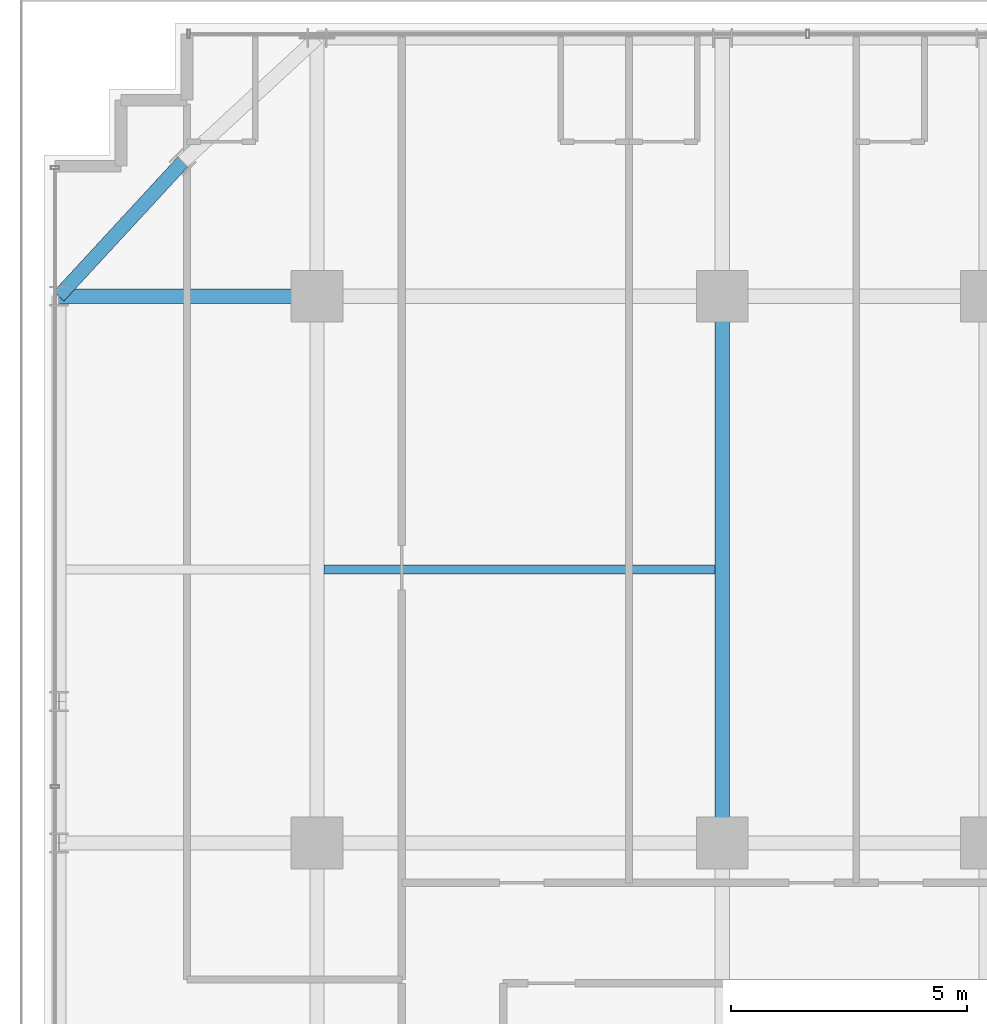
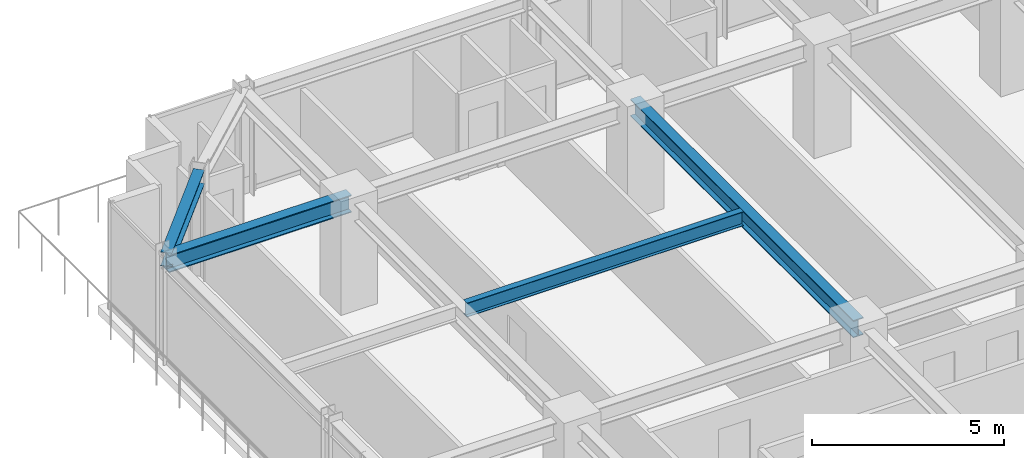
# One storey, part 14 of 33: 4 beams.
"""IFC4 building model written with IfcOpenShell, lengths in metres."""

from ifc_helpers import new_model, si_unit, direction, frame, origin, origin_2d, place, context, subcontext, project, spatial, i_section, extrude, source, transform, mapped, material, material_profile, profile_set, type_object, element, save


model = new_model("IFC4")

# Units and contexts
model_context = context("Model", 3, precision=1e-05, world=origin(), true_north=direction((0.0, 1.0)))
body_context = subcontext(model_context, "Body", "Model", "MODEL_VIEW")
ifc_project = project(units=[si_unit("LENGTHUNIT", "METRE"), si_unit("AREAUNIT", "SQUARE_METRE"), si_unit("VOLUMEUNIT", "CUBIC_METRE"), si_unit("PLANEANGLEUNIT", "RADIAN"), si_unit("MASSUNIT", "GRAM", prefix="KILO")], contexts=[model_context])

# Site, building, storey
site_placement = place(None, origin())
site = spatial("IfcSite", under=ifc_project, at=site_placement, CompositionType="ELEMENT")
building_placement = place(site_placement, origin())
building = spatial("IfcBuilding", under=site, at=building_placement, Name="Nahalor Promenade Grand Hotel", CompositionType="ELEMENT")
storey_placement = place(building_placement, frame((0.0, 0.0, 149.0)))
storey = spatial("IfcBuildingStorey", under=building, at=storey_placement, Name="L37", CompositionType="ELEMENT", Elevation=149.0)

# Beams
ifc_material = material(Name="Steel S355JR", Category="steel")
ifc_material_profile_1 = material_profile(ifc_material, i_section(OverallWidth=0.3, OverallDepth=0.55, WebThickness=0.015, FlangeThickness=0.029, at=origin_2d()), Name="HEB 550")
ifc_profile_set_1 = profile_set([ifc_material_profile_1], Name="Steel S355JR")
beam_type_1 = type_object("IfcBeamType", Name="Beam-Girder-HEB550", PredefinedType="BEAM", material=ifc_profile_set_1)
shared_shape_1 = source(origin(), body_context, "Body", "SweptSolid", [
    extrude(i_section(OverallWidth=0.3, OverallDepth=0.55, WebThickness=0.015, FlangeThickness=0.029, at=origin_2d()), origin(), (0.0, 0.0, 1.0), 11.60009765625),
])
beam_1_placement = place(storey_placement, frame((-8.39990234375, 5.39990234375, 3.114990234375), z_axis=(0.0, 1.0, 0.0), x_axis=(-1.0, 0.0, 0.0)))
element("IfcBeam", 1, at=beam_1_placement, inside=storey, type_object=beam_type_1, Name="BM-L37-GY-1-3", PredefinedType="BEAM", context=body_context, shape_type="MappedRepresentation", body=[
    mapped(shared_shape_1, transform((0.0, 0.0, 0.0), scale=1.0)),
])
ifc_material_profile_2 = material_profile(ifc_material, i_section(OverallWidth=0.19, OverallDepth=0.45, WebThickness=0.0094, FlangeThickness=0.0146, at=origin_2d()), Name="IPE 450")
ifc_profile_set_2 = profile_set([ifc_material_profile_2], Name="Steel S355JR")
beam_type_2 = type_object("IfcBeamType", Name="Beam-Joist-IPE450", PredefinedType="JOIST", material=ifc_profile_set_2)
shared_shape_2 = source(origin(), body_context, "Body", "SweptSolid", [
    extrude(i_section(OverallWidth=0.19, OverallDepth=0.45, WebThickness=0.0094, FlangeThickness=0.0146, at=origin_2d()), origin(), (0.0, 0.0, 1.0), 8.300048828125),
])
beam_2_placement = place(storey_placement, frame((-16.85009765625, 11.199951171875, 3.1650390625), z_axis=(1.0, 0.0, 0.0), x_axis=(0.0, 1.0, 0.0)))
element("IfcBeam", 2, at=beam_2_placement, inside=storey, type_object=beam_type_2, Name="BM-L37-JSW-1-1", PredefinedType="JOIST", context=body_context, shape_type="MappedRepresentation", body=[
    mapped(shared_shape_2, transform((0.0, 0.0, 0.0), scale=1.0)),
])
shared_shape_3 = source(origin(), body_context, "Body", "SweptSolid", [
    extrude(i_section(OverallWidth=0.3, OverallDepth=0.55, WebThickness=0.015, FlangeThickness=0.029, at=origin_2d()), origin(), (0.0, 0.0, 1.0), 5.47998046875),
])
beam_3_placement = place(storey_placement, frame((-22.47998046875, 17.0, 3.114990234375), z_axis=(1.0, 0.0, 0.0), x_axis=(0.0, 1.0, 0.0)))
element("IfcBeam", 3, at=beam_3_placement, inside=storey, type_object=beam_type_1, Name="BM-L37-GX-3-0", PredefinedType="BEAM", context=body_context, shape_type="MappedRepresentation", body=[
    mapped(shared_shape_3, transform((0.0, 0.0, 0.0), scale=1.0)),
])
ifc_material_profile_3 = material_profile(ifc_material, i_section(OverallWidth=0.3, OverallDepth=0.45, WebThickness=0.014, FlangeThickness=0.026, at=origin_2d()), Name="HEB 450")
ifc_profile_set_3 = profile_set([ifc_material_profile_3], Name="Steel S355JR")
beam_type_3 = type_object("IfcBeamType", Name="Beam-Spandrel-HEB450", PredefinedType="SPANDREL", material=ifc_profile_set_3)
shared_shape_4 = source(origin(), body_context, "Body", "SweptSolid", [
    extrude(i_section(OverallWidth=0.3, OverallDepth=0.45, WebThickness=0.014, FlangeThickness=0.026, at=origin_2d()), origin(), (0.0, 0.0, 1.0), 3.878173828125),
])
beam_4_placement = place(storey_placement, frame((-19.85009765625, 19.85009765625, 3.1650390625), z_axis=(-0.678144125843, -0.73492893846, 0.0), x_axis=(0.73492893846, -0.678144125843, 0.0)))
element("IfcBeam", 4, at=beam_4_placement, inside=storey, type_object=beam_type_3, Name="BM-L37-SPC-NW-2", PredefinedType="SPANDREL", context=body_context, shape_type="MappedRepresentation", body=[
    mapped(shared_shape_4, transform((0.0, 0.0, 0.0), scale=1.0)),
])

save(model, "model.ifc")
